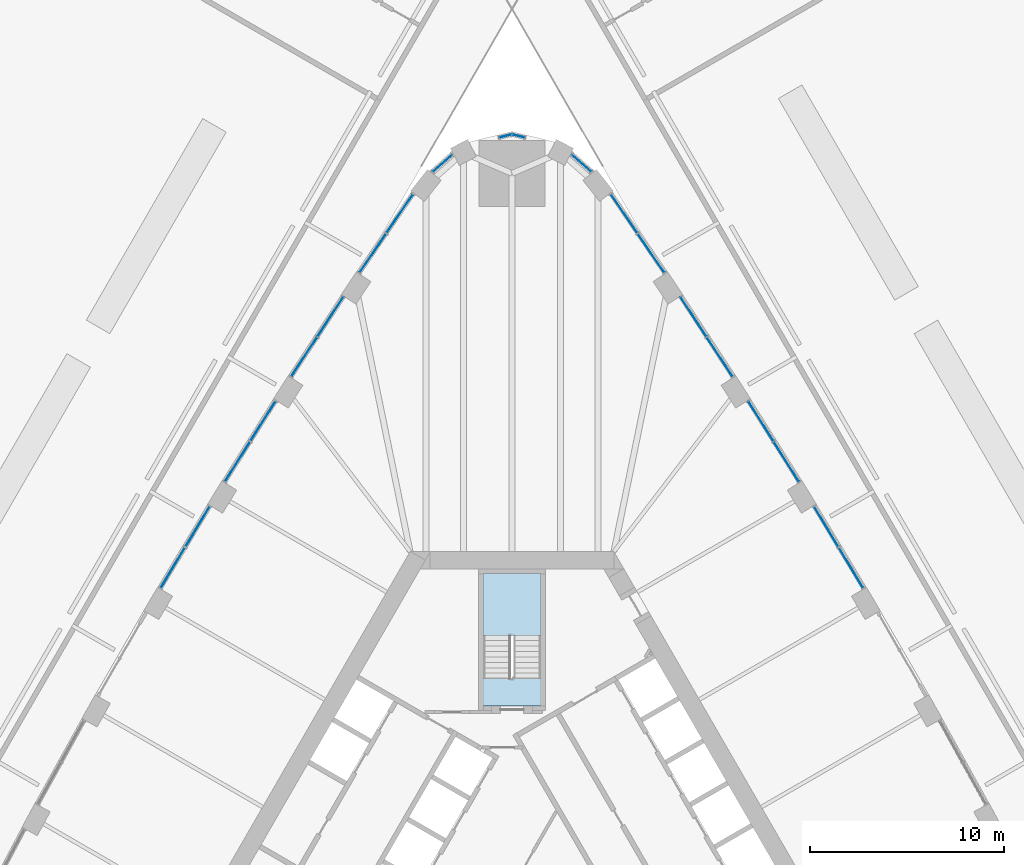
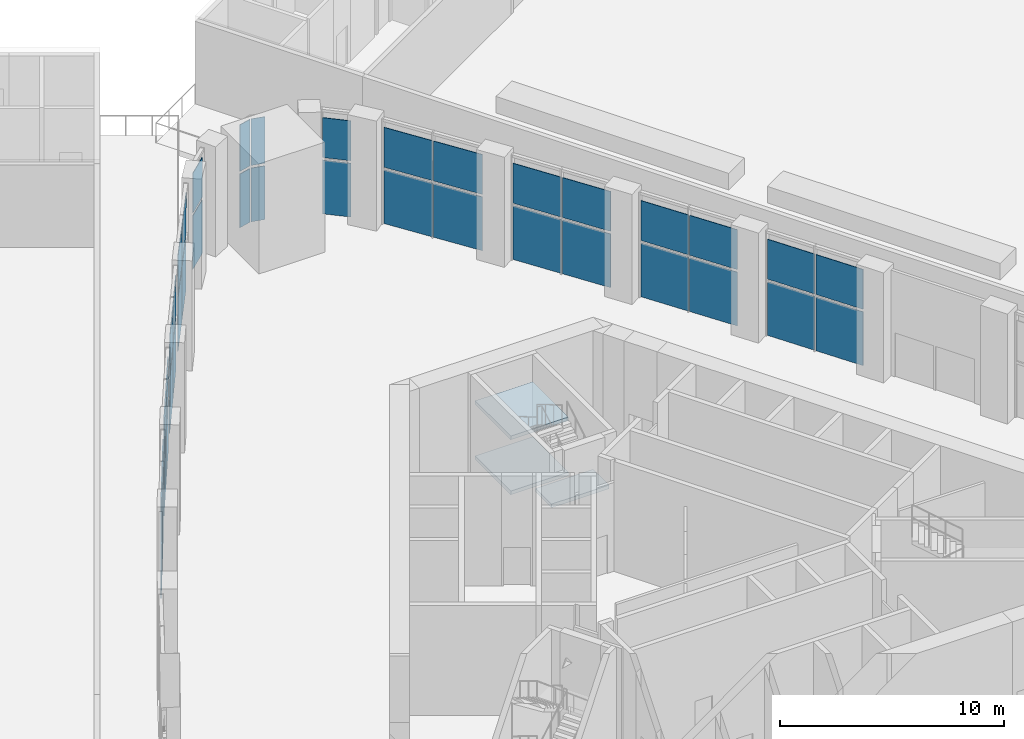
# One storey, part 20 of 41: 40 plates, 3 slabs, 4 elements without a shape of their own.
"""IFC4 building model written with IfcOpenShell, lengths in metres."""

from ifc_helpers import new_model, si_unit, direction, frame, origin, origin_2d, place, context, subcontext, project, spatial, polyline, rectangle, outline, extrude, material, layer, layer_set, type_object, element, aggregate, save


model = new_model("IFC4")

# Units and contexts
model_context = context("Model", 3, precision=1e-05, world=origin(), true_north=direction((0.0, 1.0)))
body_context = subcontext(model_context, "Body", "Model", "MODEL_VIEW")
ifc_project = project(units=[si_unit("LENGTHUNIT", "METRE"), si_unit("AREAUNIT", "SQUARE_METRE"), si_unit("VOLUMEUNIT", "CUBIC_METRE"), si_unit("PLANEANGLEUNIT", "RADIAN"), si_unit("MASSUNIT", "GRAM", prefix="KILO")], contexts=[model_context])

# Site, building, storey
site_placement = place(None, origin())
site = spatial("IfcSite", under=ifc_project, at=site_placement, CompositionType="ELEMENT")
building_placement = place(site_placement, origin())
building = spatial("IfcBuilding", under=site, at=building_placement, Name="Mestral Congress Tower", CompositionType="ELEMENT")
storey_placement = place(building_placement, frame((0.0, 0.0, 21.60009765625)))
storey = spatial("IfcBuildingStorey", under=building, at=storey_placement, Name="L04", CompositionType="ELEMENT", Elevation=21.60009765625)

# Stair, slabs
ifc_material_1 = material(Name="Concrete C60/75", Category="concrete")
stair_type = type_object("IfcStairType", Name="Exit stair 1400", PredefinedType="HALF_TURN_STAIR", material=ifc_material_1)
placement = place(storey_placement, origin())
stair = element("IfcStair", 1, at=placement, inside=storey, type_object=stair_type, Name="L04 ST2", PredefinedType="HALF_TURN_STAIR")
ifc_layer_1 = layer(ifc_material_1, 0.199951171875)
ifc_layer_set_1 = layer_set([ifc_layer_1], Name="Concrete C60/75")
slab_type = type_object("IfcSlabType", Name="Exit stair landing 200", PredefinedType="LANDING", material=ifc_layer_set_1)
slab_1_placement = place(storey_placement, frame((0.0, 0.0, 1.2998046875)))
slab_1 = element("IfcSlab", 2, at=slab_1_placement, type_object=slab_type, Name="ST2 landing 1", PredefinedType="LANDING", context=body_context, shape_type="SweptSolid", body=[
    extrude(outline(polyline([(1.485107421875, 12.580078125), (-1.485107421875, 12.580078125), (-1.485107421875, 15.760009765625), (1.485107421875, 15.760009765625), (1.485107421875, 12.580078125)])), origin(), (0.0, 0.0, 1.0), 0.2001953125),
])
slab_2_placement = place(storey_placement, frame((0.0, 0.0, 2.7998046875)))
slab_2 = element("IfcSlab", 3, at=slab_2_placement, type_object=slab_type, Name="ST2 landing 2", PredefinedType="LANDING", context=body_context, shape_type="SweptSolid", body=[
    extrude(outline(polyline([(1.485107421875, 8.93994140625), (-1.485107421875, 8.93994140625), (-1.485107421875, 10.360107421875), (1.485107421875, 10.360107421875), (1.485107421875, 8.93994140625)])), origin(), (0.0, 0.0, 1.0), 0.2001953125),
])
slab_3_placement = place(storey_placement, frame((0.0, 0.0, 4.2998046875)))
slab_3 = element("IfcSlab", 4, at=slab_3_placement, type_object=slab_type, Name="ST2 landing 3", PredefinedType="LANDING", context=body_context, shape_type="SweptSolid", body=[
    extrude(outline(polyline([(1.485107421875, 12.580078125), (-1.485107421875, 12.580078125), (-1.485107421875, 15.760009765625), (1.485107421875, 15.760009765625), (1.485107421875, 12.580078125)])), origin(), (0.0, 0.0, 1.0), 0.2001953125),
])
aggregate(stair, [slab_1, slab_2, slab_3])

# Curtain wall, plates
ifc_material_2 = material(Name="Clear low-emissivity double glazing", Category="glass")
curtain_wall_type = type_object("IfcCurtainWallType", Name="Facade arrival lobby curtain wall", PredefinedType="USERDEFINED", material=ifc_material_2)
curtain_wall_1 = element("IfcCurtainWall", 5, at=placement, inside=storey, type_object=curtain_wall_type, Name="Facade arrival lobby curtain wall face 2", ObjectType="CURTAIN WALL", PredefinedType="USERDEFINED")
ifc_layer_2 = layer(ifc_material_2, 0.030029296875)
ifc_layer_set_2 = layer_set([ifc_layer_2], Name="Clear low-emissivity double glazing")
plate_type = type_object("IfcPlateType", Name="Facade arrival lobby curtain wall panel", PredefinedType="CURTAIN_PANEL", material=ifc_layer_set_2)
plate_1_placement = place(storey_placement, frame((17.486572265625, 16.06640625, 0.0), z_axis=(0.0, 0.0, 1.0), x_axis=(-0.515929435442, 0.856631086083, 0.0)))
plate_1 = element("IfcPlate", 6, at=plate_1_placement, type_object=plate_type, Name="Arrival lobby glass unit", PredefinedType="CURTAIN_PANEL", context=body_context, shape_type="SweptSolid", body=[
    extrude(rectangle(XDim=2.4091796875, YDim=0.030029296875, at=origin_2d()), origin(), (0.0, 0.0, 1.0), 2.929931640625),
])
plate_2_placement = place(storey_placement, frame((16.87744140625, 17.105712890625, 3.06982421875), z_axis=(0.856631669603, 0.515924740323, 0.001960856149), x_axis=(0.51592573218, -0.856633316463, 0.0)))
plate_2 = element("IfcPlate", 7, at=plate_2_placement, type_object=plate_type, Name="Arrival lobby glass unit", PredefinedType="CURTAIN_PANEL", context=body_context, shape_type="SweptSolid", body=[
    extrude(outline(polyline([(0.0, 0.0), (2.4091062809059505, 0.0), (2.409099155384826, -2.1779827027537677), (-7.12552112431379e-06, -2.1779827027537677), (0.0, 0.0)])), origin(), (0.0, 0.0, -1.0), 0.030029296875),
])
plate_3_placement = place(storey_placement, frame((16.212646484375, 18.181396484375, 0.0), z_axis=(0.0, 0.0, 1.0), x_axis=(-0.515929435442, 0.856631086083, 0.0)))
plate_3 = element("IfcPlate", 8, at=plate_3_placement, type_object=plate_type, Name="Arrival lobby glass unit", PredefinedType="CURTAIN_PANEL", context=body_context, shape_type="SweptSolid", body=[
    extrude(rectangle(XDim=2.4091796875, YDim=0.030029296875, at=origin_2d()), origin(), (0.0, 0.0, 1.0), 2.929931640625),
])
plate_4_placement = place(storey_placement, frame((15.603515625, 19.220703125, 3.06982421875), z_axis=(0.856631669603, 0.515924740323, 0.001960856149), x_axis=(0.51592573218, -0.856633316463, 0.0)))
plate_4 = element("IfcPlate", 9, at=plate_4_placement, type_object=plate_type, Name="Arrival lobby glass unit", PredefinedType="CURTAIN_PANEL", context=body_context, shape_type="SweptSolid", body=[
    extrude(outline(polyline([(0.0, 0.0), (2.4091062809059505, 0.0), (2.409099155384826, -2.1779827027537677), (-7.12552112431379e-06, -2.1779827027537677), (0.0, 0.0)])), origin(), (0.0, 0.0, -1.0), 0.030029296875),
])
plate_5_placement = place(storey_placement, frame((14.150634765625, 21.534423828125, 0.0), z_axis=(0.0, 0.0, 1.0), x_axis=(-0.531667640918, 0.846953079929, 0.0)))
plate_5 = element("IfcPlate", 10, at=plate_5_placement, type_object=plate_type, Name="Arrival lobby glass unit", PredefinedType="CURTAIN_PANEL", context=body_context, shape_type="SweptSolid", body=[
    extrude(rectangle(XDim=2.4091796875, YDim=0.030029296875, at=origin_2d()), origin(), (0.0, 0.0, 1.0), 2.929931640625),
])
plate_6_placement = place(storey_placement, frame((13.522705078125, 22.562255859375, 3.06982421875), z_axis=(0.846967375022, 0.531641142611, 0.001990259105), x_axis=(0.531642195654, -0.846969052445, -5.3618e-08)))
plate_6 = element("IfcPlate", 11, at=plate_6_placement, type_object=plate_type, Name="Arrival lobby glass unit", PredefinedType="CURTAIN_PANEL", context=body_context, shape_type="SweptSolid", body=[
    extrude(outline(polyline([(0.0, 0.0), (2.4089637035368066, 0.0), (2.4090844504280007, -2.1779829584370307), (-8.603266262513307e-05, -2.1779827000993515), (0.0, 0.0)])), origin(), (0.0, 0.0, -1.0), 0.030029296875),
])
plate_7_placement = place(storey_placement, frame((12.837890625, 23.62548828125, 0.0), z_axis=(0.0, 0.0, 1.0), x_axis=(-0.531667640918, 0.846953079929, 0.0)))
plate_7 = element("IfcPlate", 12, at=plate_7_placement, type_object=plate_type, Name="Arrival lobby glass unit", PredefinedType="CURTAIN_PANEL", context=body_context, shape_type="SweptSolid", body=[
    extrude(rectangle(XDim=2.4091796875, YDim=0.030029296875, at=origin_2d()), origin(), (0.0, 0.0, 1.0), 2.929931640625),
])
plate_8_placement = place(storey_placement, frame((12.2099609375, 24.653564453125, 3.06982421875), z_axis=(0.846967375022, 0.531641142611, 0.001990259105), x_axis=(0.531642195474, -0.846969052559, 5.3613e-08)))
plate_8 = element("IfcPlate", 13, at=plate_8_placement, type_object=plate_type, Name="Arrival lobby glass unit", PredefinedType="CURTAIN_PANEL", context=body_context, shape_type="SweptSolid", body=[
    extrude(outline(polyline([(0.0, 0.0), (2.40917048309064, -4.336808689942018e-19), (2.4090846839752045, -2.177982700108564), (0.00012098043841181904, -2.17798295842407), (0.0, 0.0)])), origin(), (0.0, 0.0, -1.0), 0.030029296875),
])
plate_9_placement = place(storey_placement, frame((10.714599609375, 26.939697265625, 0.0), z_axis=(0.0, 0.0, 1.0), x_axis=(-0.547230202282, 0.836982141811, 0.0)))
plate_9 = element("IfcPlate", 14, at=plate_9_placement, type_object=plate_type, Name="Arrival lobby glass unit", PredefinedType="CURTAIN_PANEL", context=body_context, shape_type="SweptSolid", body=[
    extrude(rectangle(XDim=2.4091796875, YDim=0.030029296875, at=origin_2d()), origin(), (0.0, 0.0, 1.0), 2.929931640625),
])
plate_10_placement = place(storey_placement, frame((10.067626953125, 27.9560546875, 3.06982421875), z_axis=(0.836973260932, 0.547240054369, 0.002020737525), x_axis=(0.547241171667, -0.836974969777, 0.0)))
plate_10 = element("IfcPlate", 15, at=plate_10_placement, type_object=plate_type, Name="Arrival lobby glass unit", PredefinedType="CURTAIN_PANEL", context=body_context, shape_type="SweptSolid", body=[
    extrude(outline(polyline([(0.0, 0.0), (2.409101221285811, 4.336808689942018e-19), (2.4091405601829714, -2.17798296239573), (3.93388971602817e-05, -2.17798296239573), (0.0, 0.0)])), origin(), (0.0, 0.0, -1.0), 0.030029296875),
])
plate_11_placement = place(storey_placement, frame((9.36328125, 29.00634765625, 0.0), z_axis=(0.0, 0.0, 1.0), x_axis=(-0.547230202282, 0.836982141811, 0.0)))
plate_11 = element("IfcPlate", 16, at=plate_11_placement, type_object=plate_type, Name="Arrival lobby glass unit", PredefinedType="CURTAIN_PANEL", context=body_context, shape_type="SweptSolid", body=[
    extrude(rectangle(XDim=2.4091796875, YDim=0.030029296875, at=origin_2d()), origin(), (0.0, 0.0, 1.0), 2.929931640625),
])
plate_12_placement = place(storey_placement, frame((8.71630859375, 30.022705078125, 3.06982421875), z_axis=(0.836988485851, 0.547216880392, 0.001990066994), x_axis=(0.547217964174, -0.836990143123, -1.13604e-07)))
plate_12 = element("IfcPlate", 17, at=plate_12_placement, type_object=plate_type, Name="Arrival lobby glass unit", PredefinedType="CURTAIN_PANEL", context=body_context, shape_type="SweptSolid", body=[
    extrude(outline(polyline([(0.0, 0.0), (2.409439161792161, 0.0), (2.409140433862699, -2.1779831021228455), (0.00017281163876792566, -2.1779825547319542), (0.0, 0.0)])), origin(), (0.0, 0.0, -1.0), 0.030029296875),
])
plate_13_placement = place(storey_placement, frame((7.177978515625, 32.282470703125, 0.0), z_axis=(0.0, 0.0, 1.0), x_axis=(-0.562623137508, 0.826713496407, 0.0)))
plate_13 = element("IfcPlate", 18, at=plate_13_placement, type_object=plate_type, Name="Arrival lobby glass unit", PredefinedType="CURTAIN_PANEL", context=body_context, shape_type="SweptSolid", body=[
    extrude(rectangle(XDim=2.412841796875, YDim=0.030029296875, at=origin_2d()), origin(), (0.0, 0.0, 1.0), 2.929931640625),
])
plate_14_placement = place(storey_placement, frame((6.51123046875, 33.2880859375, 3.06982421875), z_axis=(0.826710236247, 0.562624352078, 0.002005924686), x_axis=(0.562625484051, -0.826711899453, -2.6798e-08)))
plate_14 = element("IfcPlate", 19, at=plate_14_placement, type_object=plate_type, Name="Arrival lobby glass unit", PredefinedType="CURTAIN_PANEL", context=body_context, shape_type="SweptSolid", body=[
    extrude(outline(polyline([(0.0, 0.0), (2.4130427849692557, -4.336808689942018e-19), (2.413000670141973, -2.1779829621052467), (0.0002970788698616444, -2.177982832783902), (0.0, 0.0)])), origin(), (0.0, 0.0, -1.0), 0.030029296875),
])
plate_15_placement = place(storey_placement, frame((5.78662109375, 34.32666015625, 0.0), z_axis=(0.0, 0.0, 1.0), x_axis=(-0.562623137508, 0.826713496407, 0.0)))
plate_15 = element("IfcPlate", 20, at=plate_15_placement, type_object=plate_type, Name="Arrival lobby glass unit", PredefinedType="CURTAIN_PANEL", context=body_context, shape_type="SweptSolid", body=[
    extrude(rectangle(XDim=2.412841796875, YDim=0.030029296875, at=origin_2d()), origin(), (0.0, 0.0, 1.0), 2.929931640625),
])
plate_16_placement = place(storey_placement, frame((5.1201171875, 35.332275390625, 3.06982421875), z_axis=(0.826717728989, 0.562613289251, 0.002020726245), x_axis=(0.562614437923, -0.826719416876, 0.0)))
plate_16 = element("IfcPlate", 21, at=plate_16_placement, type_object=plate_type, Name="Arrival lobby glass unit", PredefinedType="CURTAIN_PANEL", context=body_context, shape_type="SweptSolid", body=[
    extrude(outline(polyline([(0.0, 0.0), (2.4127035914874804, 0.0), (2.41266159383121, -2.1779829623460847), (-4.199765627061272e-05, -2.1779829623460847), (0.0, 0.0)])), origin(), (0.0, 0.0, -1.0), 0.030029296875),
])
aggregate(curtain_wall_1, [plate_1, plate_2, plate_3, plate_4, plate_5, plate_6, plate_7, plate_8, plate_9, plate_10, plate_11, plate_12, plate_13, plate_14, plate_15, plate_16])

curtain_wall_2 = element("IfcCurtainWall", 22, at=placement, inside=storey, type_object=curtain_wall_type, Name="Facade arrival lobby curtain wall face 3", ObjectType="CURTAIN WALL", PredefinedType="USERDEFINED")
plate_17_placement = place(storey_placement, frame((-5.78662109375, 34.32666015625, 0.0), z_axis=(0.0, 0.0, 1.0), x_axis=(-0.562623137508, -0.826713496407, 0.0)))
plate_17 = element("IfcPlate", 23, at=plate_17_placement, type_object=plate_type, Name="Arrival lobby glass unit", PredefinedType="CURTAIN_PANEL", context=body_context, shape_type="SweptSolid", body=[
    extrude(rectangle(XDim=2.412841796875, YDim=0.030029296875, at=origin_2d()), origin(), (0.0, 0.0, 1.0), 2.929931640625),
])
plate_18_placement = place(storey_placement, frame((-6.4775390625, 33.337646484375, 3.06982421875), z_axis=(-0.826717728989, 0.562613289251, 0.002020726245), x_axis=(0.562614437923, 0.826719416876, 0.0)))
plate_18 = element("IfcPlate", 24, at=plate_18_placement, type_object=plate_type, Name="Arrival lobby glass unit", PredefinedType="CURTAIN_PANEL", context=body_context, shape_type="SweptSolid", body=[
    extrude(outline(polyline([(0.0, 0.0), (2.4127035914874804, 0.0), (2.412745589143751, -2.1779829623460847), (4.199765627061272e-05, -2.1779829623460847), (0.0, 0.0)])), origin(), (0.0, 0.0, -1.0), 0.030029296875),
])
plate_19_placement = place(storey_placement, frame((-7.177978515625, 32.282470703125, 0.0), z_axis=(0.0, 0.0, 1.0), x_axis=(-0.562623137508, -0.826713496407, 0.0)))
plate_19 = element("IfcPlate", 25, at=plate_19_placement, type_object=plate_type, Name="Arrival lobby glass unit", PredefinedType="CURTAIN_PANEL", context=body_context, shape_type="SweptSolid", body=[
    extrude(rectangle(XDim=2.412841796875, YDim=0.030029296875, at=origin_2d()), origin(), (0.0, 0.0, 1.0), 2.929931640625),
])
plate_20_placement = place(storey_placement, frame((-7.868896484375, 31.293212890625, 3.06982421875), z_axis=(-0.826710236247, 0.562624352078, 0.002005924686), x_axis=(0.562625484051, 0.826711899453, 2.6798e-08)))
plate_20 = element("IfcPlate", 26, at=plate_20_placement, type_object=plate_type, Name="Arrival lobby glass unit", PredefinedType="CURTAIN_PANEL", context=body_context, shape_type="SweptSolid", body=[
    extrude(outline(polyline([(0.0, 0.0), (2.4130427849692557, 4.336808689942018e-19), (2.412745706099394, -2.177982832783902), (4.211482728275578e-05, -2.1779829621052467), (0.0, 0.0)])), origin(), (0.0, 0.0, -1.0), 0.030029296875),
])
plate_21_placement = place(storey_placement, frame((-9.36328125, 29.00634765625, 0.0), z_axis=(0.0, 0.0, 1.0), x_axis=(-0.547230202282, -0.836982141811, 0.0)))
plate_21 = element("IfcPlate", 27, at=plate_21_placement, type_object=plate_type, Name="Arrival lobby glass unit", PredefinedType="CURTAIN_PANEL", context=body_context, shape_type="SweptSolid", body=[
    extrude(rectangle(XDim=2.4091796875, YDim=0.030029296875, at=origin_2d()), origin(), (0.0, 0.0, 1.0), 2.929931640625),
])
plate_22_placement = place(storey_placement, frame((-10.034912109375, 28.006103515625, 3.06982421875), z_axis=(-0.836988485851, 0.547216880392, 0.001990066994), x_axis=(0.547217964174, 0.836990143123, 1.13604e-07)))
plate_22 = element("IfcPlate", 28, at=plate_22_placement, type_object=plate_type, Name="Arrival lobby glass unit", PredefinedType="CURTAIN_PANEL", context=body_context, shape_type="SweptSolid", body=[
    extrude(outline(polyline([(0.0, 0.0), (2.409439161792161, 0.0), (2.409266350153393, -2.1779825547319542), (0.0002987279294623445, -2.1779831021228455), (0.0, 0.0)])), origin(), (0.0, 0.0, -1.0), 0.030029296875),
])
plate_23_placement = place(storey_placement, frame((-10.714599609375, 26.939697265625, 0.0), z_axis=(0.0, 0.0, 1.0), x_axis=(-0.547230202282, -0.836982141811, 0.0)))
plate_23 = element("IfcPlate", 29, at=plate_23_placement, type_object=plate_type, Name="Arrival lobby glass unit", PredefinedType="CURTAIN_PANEL", context=body_context, shape_type="SweptSolid", body=[
    extrude(rectangle(XDim=2.4091796875, YDim=0.030029296875, at=origin_2d()), origin(), (0.0, 0.0, 1.0), 2.929931640625),
])
plate_24_placement = place(storey_placement, frame((-11.385986328125, 25.939697265625, 3.06982421875), z_axis=(-0.836973260932, 0.547240054369, 0.002020737525), x_axis=(0.547241171667, 0.836974969777, 0.0)))
plate_24 = element("IfcPlate", 30, at=plate_24_placement, type_object=plate_type, Name="Arrival lobby glass unit", PredefinedType="CURTAIN_PANEL", context=body_context, shape_type="SweptSolid", body=[
    extrude(outline(polyline([(0.0, 0.0), (2.409101221285811, -4.336808689942018e-19), (2.409061882388651, -2.17798296239573), (-3.93388971602817e-05, -2.17798296239573), (0.0, 0.0)])), origin(), (0.0, 0.0, -1.0), 0.030029296875),
])
plate_25_placement = place(storey_placement, frame((-12.837890625, 23.62548828125, 0.0), z_axis=(0.0, 0.0, 1.0), x_axis=(-0.531667640918, -0.846953079929, 0.0)))
plate_25 = element("IfcPlate", 31, at=plate_25_placement, type_object=plate_type, Name="Arrival lobby glass unit", PredefinedType="CURTAIN_PANEL", context=body_context, shape_type="SweptSolid", body=[
    extrude(rectangle(XDim=2.4091796875, YDim=0.030029296875, at=origin_2d()), origin(), (0.0, 0.0, 1.0), 2.929931640625),
])
plate_26_placement = place(storey_placement, frame((-13.49072265625, 22.613037109375, 3.06982421875), z_axis=(-0.846967375022, 0.531641142611, 0.001990259105), x_axis=(0.531642195474, 0.846969052559, -5.3613e-08)))
plate_26 = element("IfcPlate", 32, at=plate_26_placement, type_object=plate_type, Name="Arrival lobby glass unit", PredefinedType="CURTAIN_PANEL", context=body_context, shape_type="SweptSolid", body=[
    extrude(outline(polyline([(0.0, 0.0), (2.40917048309064, 4.336808689942018e-19), (2.409049502652228, -2.17798295842407), (8.579911543550924e-05, -2.177982700108564), (0.0, 0.0)])), origin(), (0.0, 0.0, -1.0), 0.030029296875),
])
plate_27_placement = place(storey_placement, frame((-14.150634765625, 21.534423828125, 0.0), z_axis=(0.0, 0.0, 1.0), x_axis=(-0.531667640918, -0.846953079929, 0.0)))
plate_27 = element("IfcPlate", 33, at=plate_27_placement, type_object=plate_type, Name="Arrival lobby glass unit", PredefinedType="CURTAIN_PANEL", context=body_context, shape_type="SweptSolid", body=[
    extrude(rectangle(XDim=2.4091796875, YDim=0.030029296875, at=origin_2d()), origin(), (0.0, 0.0, 1.0), 2.929931640625),
])
plate_28_placement = place(storey_placement, frame((-14.803466796875, 20.52197265625, 3.06982421875), z_axis=(-0.846967375022, 0.531641142611, 0.001990259105), x_axis=(0.531642195654, 0.846969052445, 5.3618e-08)))
plate_28 = element("IfcPlate", 34, at=plate_28_placement, type_object=plate_type, Name="Arrival lobby glass unit", PredefinedType="CURTAIN_PANEL", context=body_context, shape_type="SweptSolid", body=[
    extrude(outline(polyline([(0.0, 0.0), (2.4089637035368066, 0.0), (2.409049736199431, -2.1779827000993515), (-0.00012074689119449492, -2.1779829584370307), (0.0, 0.0)])), origin(), (0.0, 0.0, -1.0), 0.030029296875),
])
plate_29_placement = place(storey_placement, frame((-16.212646484375, 18.181396484375, 0.0), z_axis=(0.0, 0.0, 1.0), x_axis=(-0.515929435442, -0.856631086083, 0.0)))
plate_29 = element("IfcPlate", 35, at=plate_29_placement, type_object=plate_type, Name="Arrival lobby glass unit", PredefinedType="CURTAIN_PANEL", context=body_context, shape_type="SweptSolid", body=[
    extrude(rectangle(XDim=2.4091796875, YDim=0.030029296875, at=origin_2d()), origin(), (0.0, 0.0, 1.0), 2.929931640625),
])
plate_30_placement = place(storey_placement, frame((-16.846435546875, 17.156982421875, 3.06982421875), z_axis=(-0.856631669603, 0.515924740323, 0.001960856149), x_axis=(0.51592573218, 0.856633316463, 0.0)))
plate_30 = element("IfcPlate", 36, at=plate_30_placement, type_object=plate_type, Name="Arrival lobby glass unit", PredefinedType="CURTAIN_PANEL", context=body_context, shape_type="SweptSolid", body=[
    extrude(outline(polyline([(0.0, 0.0), (2.4091062809059505, 0.0), (2.4091134064270747, -2.1779827027537677), (7.12552112431379e-06, -2.1779827027537677), (0.0, 0.0)])), origin(), (0.0, 0.0, -1.0), 0.030029296875),
])
plate_31_placement = place(storey_placement, frame((-17.486572265625, 16.06640625, 0.0), z_axis=(0.0, 0.0, 1.0), x_axis=(-0.515929435442, -0.856631086083, 0.0)))
plate_31 = element("IfcPlate", 37, at=plate_31_placement, type_object=plate_type, Name="Arrival lobby glass unit", PredefinedType="CURTAIN_PANEL", context=body_context, shape_type="SweptSolid", body=[
    extrude(rectangle(XDim=2.4091796875, YDim=0.030029296875, at=origin_2d()), origin(), (0.0, 0.0, 1.0), 2.929931640625),
])
plate_32_placement = place(storey_placement, frame((-18.120361328125, 15.0419921875, 3.06982421875), z_axis=(-0.856631669603, 0.515924740323, 0.001960856149), x_axis=(0.51592573218, 0.856633316463, 0.0)))
plate_32 = element("IfcPlate", 38, at=plate_32_placement, type_object=plate_type, Name="Arrival lobby glass unit", PredefinedType="CURTAIN_PANEL", context=body_context, shape_type="SweptSolid", body=[
    extrude(outline(polyline([(0.0, 0.0), (2.4091062809059505, 0.0), (2.4091134064270747, -2.1779827027537677), (7.12552112431379e-06, -2.1779827027537677), (0.0, 0.0)])), origin(), (0.0, 0.0, -1.0), 0.030029296875),
])
aggregate(curtain_wall_2, [plate_17, plate_18, plate_19, plate_20, plate_21, plate_22, plate_23, plate_24, plate_25, plate_26, plate_27, plate_28, plate_29, plate_30, plate_31, plate_32])

curtain_wall_3 = element("IfcCurtainWall", 39, at=placement, inside=storey, type_object=curtain_wall_type, Name="Facade arrival lobby curtain wall corner 2", ObjectType="CURTAIN WALL", PredefinedType="USERDEFINED")
plate_33_placement = place(storey_placement, frame((3.591552734375, 36.92333984375, 0.0), z_axis=(0.0, 0.0, 1.0), x_axis=(-0.749812053403, 0.661650878161, 0.0)))
plate_33 = element("IfcPlate", 40, at=plate_33_placement, type_object=plate_type, Name="Arrival lobby glass unit", PredefinedType="CURTAIN_PANEL", context=body_context, shape_type="SweptSolid", body=[
    extrude(rectangle(XDim=1.294921875, YDim=0.030029296875, at=origin_2d()), origin(), (0.0, 0.0, 1.0), 2.929931640625),
])
plate_34_placement = place(storey_placement, frame((3.11572265625, 37.36279296875, 3.06982421875), z_axis=(0.661567284492, 0.749883076709, 0.002024686577), x_axis=(0.749884613541, -0.661568640713, 1.43095e-07)))
plate_34 = element("IfcPlate", 41, at=plate_34_placement, type_object=plate_type, Name="Arrival lobby glass unit", PredefinedType="CURTAIN_PANEL", context=body_context, shape_type="SweptSolid", body=[
    extrude(outline(polyline([(0.0, 0.0), (1.295201885148355, -2.168404344971009e-19), (1.2951049743856036, -2.177982794469899), (6.460501867253515e-05, -2.177983165120935), (0.0, 0.0)])), origin(), (0.0, 0.0, -1.0), 0.030029296875),
])
plate_35_placement = place(storey_placement, frame((0.335205078125, 38.325439453125, 0.0), z_axis=(0.0, 0.0, 1.0), x_axis=(-0.971101381444, 0.238667356287, 0.0)))
plate_35 = element("IfcPlate", 42, at=plate_35_placement, type_object=plate_type, Name="Arrival lobby glass unit", PredefinedType="CURTAIN_PANEL", context=body_context, shape_type="SweptSolid", body=[
    extrude(rectangle(XDim=0.643798828125, YDim=0.030029296875, at=origin_2d()), origin(), (0.0, 0.0, 1.0), 2.929931640625),
])
plate_36_placement = place(storey_placement, frame((0.335205078125, 38.325439453125, 3.06982421875), z_axis=(0.0, 0.0, 1.0), x_axis=(-0.971101381444, 0.238667356287, 0.0)))
plate_36 = element("IfcPlate", 43, at=plate_36_placement, type_object=plate_type, Name="Arrival lobby glass unit", PredefinedType="CURTAIN_PANEL", context=body_context, shape_type="SweptSolid", body=[
    extrude(rectangle(XDim=0.643798828125, YDim=0.030029296875, at=origin_2d()), origin(), (0.0, 0.0, 1.0), 2.5400390625),
])
plate_37_placement = place(storey_placement, frame((-0.341796875, 38.325439453125, 0.0), z_axis=(0.0, 0.0, 1.0), x_axis=(-0.969991800938, -0.243137627926, 0.0)))
plate_37 = element("IfcPlate", 44, at=plate_37_placement, type_object=plate_type, Name="Arrival lobby glass unit", PredefinedType="CURTAIN_PANEL", context=body_context, shape_type="SweptSolid", body=[
    extrude(rectangle(XDim=0.630859375, YDim=0.030029296875, at=origin_2d()), origin(), (0.0, 0.0, 1.0), 2.929931640625),
])
plate_38_placement = place(storey_placement, frame((-0.341796875, 38.325439453125, 3.06982421875), z_axis=(0.0, 0.0, 1.0), x_axis=(-0.969991800938, -0.243137627926, 0.0)))
plate_38 = element("IfcPlate", 45, at=plate_38_placement, type_object=plate_type, Name="Arrival lobby glass unit", PredefinedType="CURTAIN_PANEL", context=body_context, shape_type="SweptSolid", body=[
    extrude(rectangle(XDim=0.630859375, YDim=0.030029296875, at=origin_2d()), origin(), (0.0, 0.0, 1.0), 2.5400390625),
])
plate_39_placement = place(storey_placement, frame((-3.591552734375, 36.92333984375, 0.0), z_axis=(0.0, 0.0, 1.0), x_axis=(-0.749812053403, -0.661650878161, 0.0)))
plate_39 = element("IfcPlate", 46, at=plate_39_placement, type_object=plate_type, Name="Arrival lobby glass unit", PredefinedType="CURTAIN_PANEL", context=body_context, shape_type="SweptSolid", body=[
    extrude(rectangle(XDim=1.294921875, YDim=0.030029296875, at=origin_2d()), origin(), (0.0, 0.0, 1.0), 2.929931640625),
])
plate_40_placement = place(storey_placement, frame((-4.0869140625, 36.505859375, 3.06982421875), z_axis=(-0.661567284492, 0.749883076709, 0.002024686577), x_axis=(0.749884613541, 0.661568640713, -1.43095e-07)))
plate_40 = element("IfcPlate", 47, at=plate_40_placement, type_object=plate_type, Name="Arrival lobby glass unit", PredefinedType="CURTAIN_PANEL", context=body_context, shape_type="SweptSolid", body=[
    extrude(outline(polyline([(0.0, 0.0), (1.295201885148355, 2.168404344971009e-19), (1.2951372801296828, -2.177983165120935), (9.691076275159998e-05, -2.177982794469899), (0.0, 0.0)])), origin(), (0.0, 0.0, -1.0), 0.030029296875),
])
aggregate(curtain_wall_3, [plate_33, plate_34, plate_35, plate_36, plate_37, plate_38, plate_39, plate_40])

save(model, "model.ifc")
